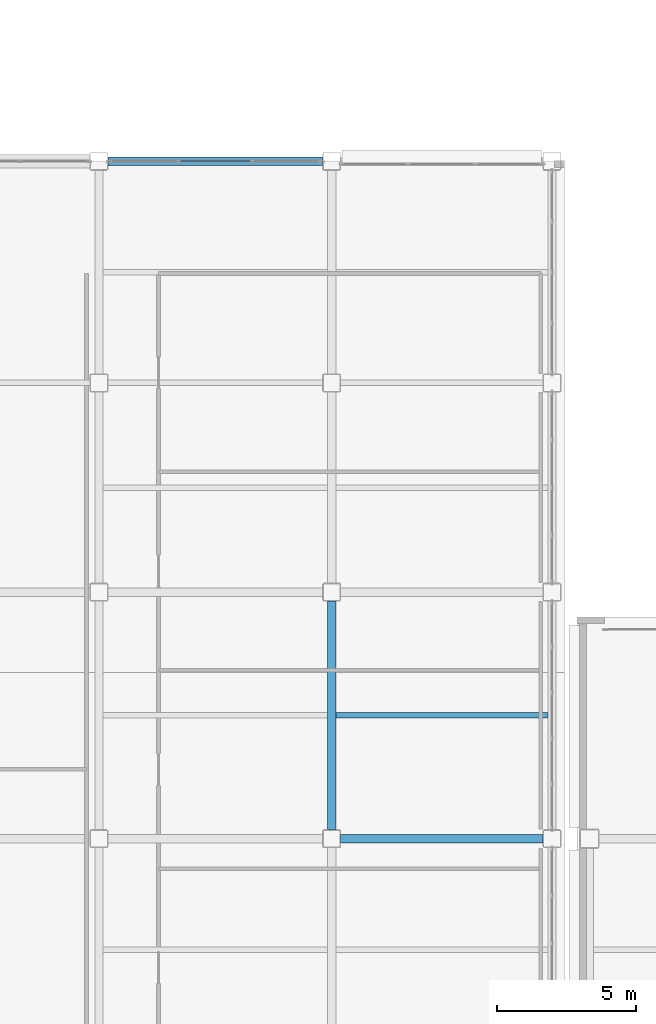
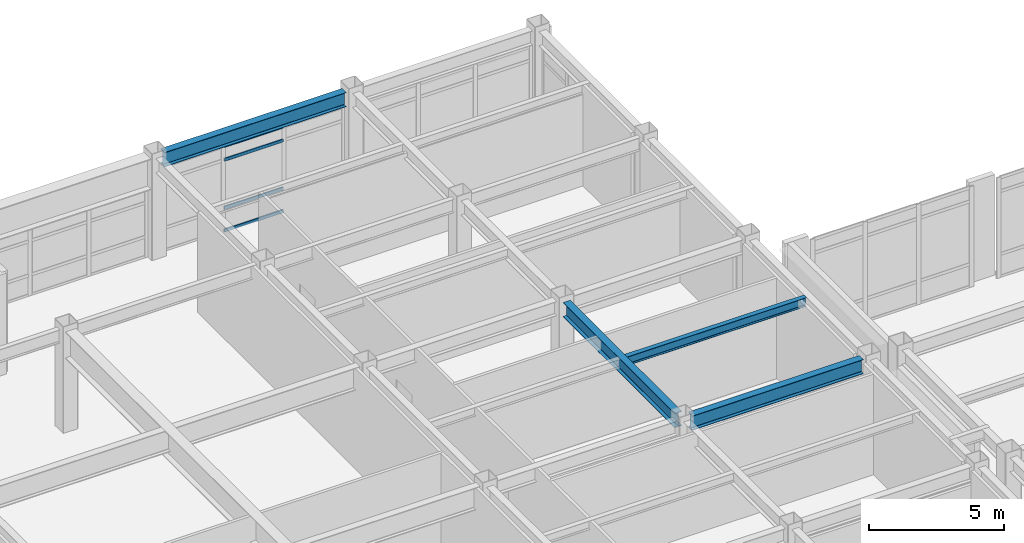
# One storey, part 55 of 172: 4 beams, 4 members, 1 element without a shape of its own.
"""IFC4 building model written with IfcOpenShell, lengths in metres."""

from ifc_helpers import new_model, si_unit, direction, frame, origin, origin_2d, place, context, subcontext, project, spatial, hollow_rectangle, i_section, extrude, material, layer, layer_set, material_profile, profile_set, type_object, element, aggregate, save


model = new_model("IFC4")

# Units and contexts
model_context = context("Model", 3, precision=1e-05, world=origin(), true_north=direction((0.0, 1.0)))
body_context = subcontext(model_context, "Body", "Model", "MODEL_VIEW")
ifc_project = project(units=[si_unit("LENGTHUNIT", "METRE"), si_unit("AREAUNIT", "SQUARE_METRE"), si_unit("VOLUMEUNIT", "CUBIC_METRE"), si_unit("PLANEANGLEUNIT", "RADIAN"), si_unit("MASSUNIT", "GRAM", prefix="KILO")], contexts=[model_context])

# Site, building, storey
site_placement = place(None, origin())
site = spatial("IfcSite", under=ifc_project, at=site_placement, CompositionType="ELEMENT")
building_placement = place(site_placement, origin())
building = spatial("IfcBuilding", under=site, at=building_placement, Name="Kazehara Bluff Congress Hotel", CompositionType="ELEMENT")
storey_placement = place(building_placement, frame((0.0, 0.0, 5.39990234375)))
storey = spatial("IfcBuildingStorey", under=building, at=storey_placement, Name="L01", CompositionType="ELEMENT", Elevation=5.39990234375)

# Curtain wall, members
ifc_material_1 = material(Name="Anodised aluminium", Category="aluminium")
ifc_layer = layer(ifc_material_1, 0.159912109375)
ifc_layer_set = layer_set([ifc_layer], Name="Anodised aluminium")
curtain_wall_type = type_object("IfcCurtainWallType", Name="TP-CW-24", PredefinedType="NOTDEFINED", material=ifc_layer_set)
curtain_wall_placement = place(storey_placement, origin())
curtain_wall = element("IfcCurtainWall", 1, at=curtain_wall_placement, inside=storey, type_object=curtain_wall_type, Name="L01 curtain wall CW-24 CW-V4-L01-Y5645-9318", PredefinedType="NOTDEFINED")
ifc_material_2 = material(Name="Anodised aluminium", Category="aluminium")
ifc_material_profile_1 = material_profile(ifc_material_2, hollow_rectangle(XDim=0.06494140625, YDim=0.139892578125, WallThickness=0.00390625, InnerFilletRadius=0.00390625, OuterFilletRadius=0.008056640625, at=origin_2d()))
ifc_profile_set_1 = profile_set([ifc_material_profile_1], Name="Anodised aluminium")
member_type = type_object("IfcMemberType", Name="TP-CWT-02", PredefinedType="USERDEFINED", material=ifc_profile_set_1)
member_1_placement = place(storey_placement, frame((95.790771484375, 56.449951171875, 0.03271484375), z_axis=(1.0, 0.0, 0.0), x_axis=(0.0, 1.0, 0.0)))
member_1 = element("IfcMember", 2, at=member_1_placement, type_object=member_type, Name="CW-24 transom 2.1", ObjectType="TRANSOM", PredefinedType="USERDEFINED", context=body_context, shape_type="SweptSolid", body=[
    extrude(hollow_rectangle(XDim=0.06494140625, YDim=0.139892578125, WallThickness=0.00390625, InnerFilletRadius=0.00390625, OuterFilletRadius=0.008056640625, at=origin_2d()), origin(), (0.0, 0.0, 1.0), 2.518310546875),
])
member_2_placement = place(storey_placement, frame((95.790771484375, 56.449951171875, 1.050048828125), z_axis=(1.0, 0.0, 0.0), x_axis=(0.0, 1.0, 0.0)))
member_2 = element("IfcMember", 3, at=member_2_placement, type_object=member_type, Name="CW-24 transom 2.2", ObjectType="TRANSOM", PredefinedType="USERDEFINED", context=body_context, shape_type="SweptSolid", body=[
    extrude(hollow_rectangle(XDim=0.06494140625, YDim=0.139892578125, WallThickness=0.00390625, InnerFilletRadius=0.00390625, OuterFilletRadius=0.008056640625, at=origin_2d()), origin(), (0.0, 0.0, 1.0), 2.518310546875),
])
member_3_placement = place(storey_placement, frame((95.790771484375, 56.449951171875, 3.22509765625), z_axis=(1.0, 0.0, 0.0), x_axis=(0.0, 1.0, 0.0)))
member_3 = element("IfcMember", 4, at=member_3_placement, type_object=member_type, Name="CW-24 transom 2.3", ObjectType="TRANSOM", PredefinedType="USERDEFINED", context=body_context, shape_type="SweptSolid", body=[
    extrude(hollow_rectangle(XDim=0.06494140625, YDim=0.139892578125, WallThickness=0.00390625, InnerFilletRadius=0.00390625, OuterFilletRadius=0.008056640625, at=origin_2d()), origin(), (0.0, 0.0, 1.0), 2.518310546875),
])
member_4_placement = place(storey_placement, frame((95.790771484375, 56.449951171875, 3.842529296875), z_axis=(1.0, 0.0, 0.0), x_axis=(0.0, 1.0, 0.0)))
member_4 = element("IfcMember", 5, at=member_4_placement, type_object=member_type, Name="CW-24 transom 2.4", ObjectType="TRANSOM", PredefinedType="USERDEFINED", context=body_context, shape_type="SweptSolid", body=[
    extrude(hollow_rectangle(XDim=0.06494140625, YDim=0.139892578125, WallThickness=0.00390625, InnerFilletRadius=0.00390625, OuterFilletRadius=0.008056640625, at=origin_2d()), origin(), (0.0, 0.0, 1.0), 2.518310546875),
])
aggregate(curtain_wall, [member_1, member_2, member_3, member_4])

# Beams
ifc_material_3 = material(Name="Steel SN490B", Category="steel")
ifc_material_profile_2 = material_profile(ifc_material_3, i_section(OverallWidth=0.300048828125, OverallDepth=0.64990234375, WebThickness=0.011962890625, FlangeThickness=0.02001953125, FilletRadius=0.012939453125, at=origin_2d()))
ifc_profile_set_2 = profile_set([ifc_material_profile_2], Name="Steel SN490B")
beam_type_1 = type_object("IfcBeamType", Name="TP-G-03", PredefinedType="BEAM", material=ifc_profile_set_2)
beam_1_placement = place(storey_placement, frame((101.25, 32.324951171875, 4.22509765625), z_axis=(0.0, 1.0, 0.0), x_axis=(-1.0, 0.0, 0.0)))
element("IfcBeam", 6, at=beam_1_placement, inside=storey, type_object=beam_type_1, Name="L01 girder G-03 177", PredefinedType="BEAM", context=body_context, shape_type="SweptSolid", body=[
    extrude(i_section(OverallWidth=0.300048828125, OverallDepth=0.64990234375, WebThickness=0.011962890625, FlangeThickness=0.02001953125, FilletRadius=0.012939453125, at=origin_2d()), origin(), (0.0, 0.0, 1.0), 8.25),
])
beam_2_placement = place(storey_placement, frame((101.574951171875, 32.0, 4.22509765625), z_axis=(1.0, 0.0, 0.0), x_axis=(0.0, 1.0, 0.0)))
element("IfcBeam", 7, at=beam_2_placement, inside=storey, type_object=beam_type_1, Name="L01 girder G-03 203", PredefinedType="BEAM", context=body_context, shape_type="SweptSolid", body=[
    extrude(i_section(OverallWidth=0.300048828125, OverallDepth=0.64990234375, WebThickness=0.011962890625, FlangeThickness=0.02001953125, FilletRadius=0.012939453125, at=origin_2d()), origin(), (0.0, 0.0, 1.0), 7.300048828125),
])
beam_3_placement = place(storey_placement, frame((93.175048828125, 56.449951171875, 4.22509765625), z_axis=(1.0, 0.0, 0.0), x_axis=(0.0, 1.0, 0.0)))
element("IfcBeam", 8, at=beam_3_placement, inside=storey, type_object=beam_type_1, Name="L01 girder G-03 217", PredefinedType="BEAM", context=body_context, shape_type="SweptSolid", body=[
    extrude(i_section(OverallWidth=0.300048828125, OverallDepth=0.64990234375, WebThickness=0.011962890625, FlangeThickness=0.02001953125, FilletRadius=0.012939453125, at=origin_2d()), origin(), (0.0, 0.0, 1.0), 7.75),
])
ifc_material_4 = material(Name="Steel SN400B", Category="steel")
ifc_material_profile_3 = material_profile(ifc_material_4, i_section(OverallWidth=0.199951171875, OverallDepth=0.39990234375, WebThickness=0.008056640625, FlangeThickness=0.012939453125, FilletRadius=0.012939453125, at=origin_2d()))
ifc_profile_set_3 = profile_set([ifc_material_profile_3], Name="Steel SN400B")
beam_type_2 = type_object("IfcBeamType", Name="TP-J-03", PredefinedType="JOIST", material=ifc_profile_set_3)
beam_4_placement = place(storey_placement, frame((101.39990234375, 36.449951171875, 4.35009765625), z_axis=(1.0, 0.0, 0.0), x_axis=(0.0, 1.0, 0.0)))
element("IfcBeam", 9, at=beam_4_placement, inside=storey, type_object=beam_type_2, Name="L01 secondary joist J-03 52", PredefinedType="JOIST", context=body_context, shape_type="SweptSolid", body=[
    extrude(i_section(OverallWidth=0.199951171875, OverallDepth=0.39990234375, WebThickness=0.008056640625, FlangeThickness=0.012939453125, FilletRadius=0.012939453125, at=origin_2d()), origin(), (0.0, 0.0, 1.0), 7.650146484375),
])

save(model, "model.ifc")
